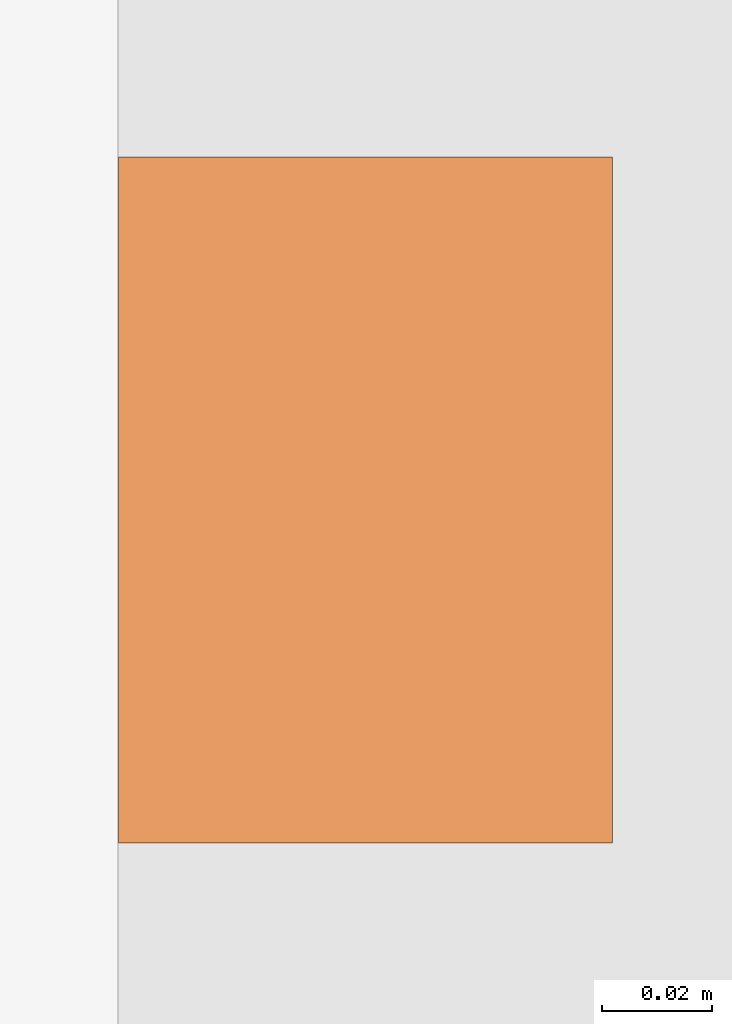
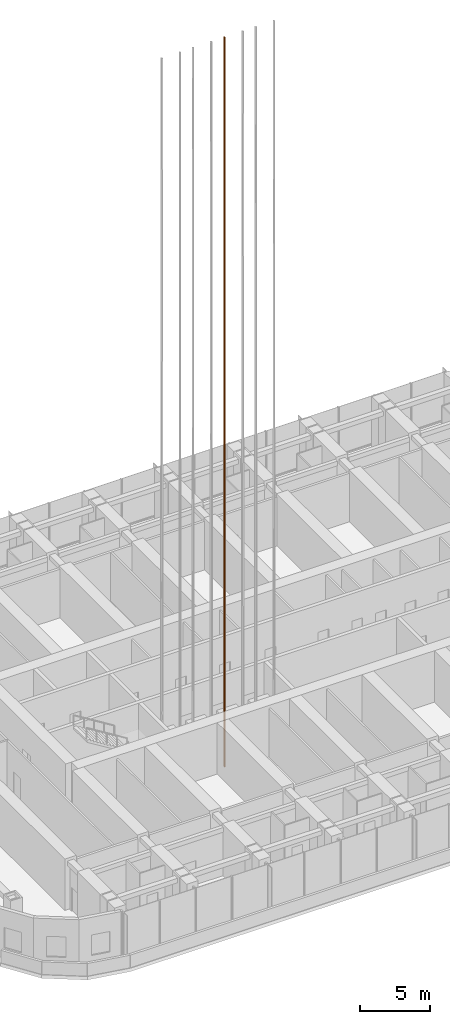
# One storey, part 28 of 31: 1 proxy.
"""IFC4 building model written with IfcOpenShell, lengths in metres."""

from ifc_helpers import new_model, si_unit, direction, frame, origin, origin_2d, place, context, subcontext, project, spatial, rectangle, extrude, material, element, save


model = new_model("IFC4")

# Units and contexts
model_context = context("Model", 3, precision=1e-05, world=origin(), true_north=direction((0.0, 1.0)))
body_context = subcontext(model_context, "Body", "Model", "MODEL_VIEW")
ifc_project = project(units=[si_unit("LENGTHUNIT", "METRE"), si_unit("AREAUNIT", "SQUARE_METRE"), si_unit("VOLUMEUNIT", "CUBIC_METRE"), si_unit("PLANEANGLEUNIT", "RADIAN"), si_unit("MASSUNIT", "GRAM", prefix="KILO")], contexts=[model_context])

# Site, building, storey
site_placement = place(None, origin())
site = spatial("IfcSite", under=ifc_project, at=site_placement, CompositionType="ELEMENT")
building_placement = place(site_placement, origin())
building = spatial("IfcBuilding", under=site, at=building_placement, Name="Orbita Commons", CompositionType="ELEMENT")
storey_placement = place(building_placement, frame((0.0, 0.0, 76.14990234375)))
storey = spatial("IfcBuildingStorey", under=building, at=storey_placement, Name="L18", CompositionType="ELEMENT", Elevation=76.14990234375)

# Proxy
ifc_material = material(Name="Machined steel guide rail", Category="steel")
placement = place(storey_placement, frame((32.5, 28.10009765625, 0.0), z_axis=(0.0, 0.0, 1.0), x_axis=(1.0, 0.0, 0.0)))
proxy_placement = place(placement, frame((-0.7548828125, 0.0, -1.800048828125)))
element("IfcBuildingElementProxy", 1, at=proxy_placement, inside=storey, material=ifc_material, Name="P23 guide rail 1", ObjectType="GUIDE RAIL", PredefinedType="USERDEFINED", context=body_context, shape_type="SweptSolid", body=[
    extrude(rectangle(XDim=0.09, YDim=0.125, at=origin_2d()), origin(), (0.0, 0.0, 1.0), 63.89990234375),
])

save(model, "model.ifc")
